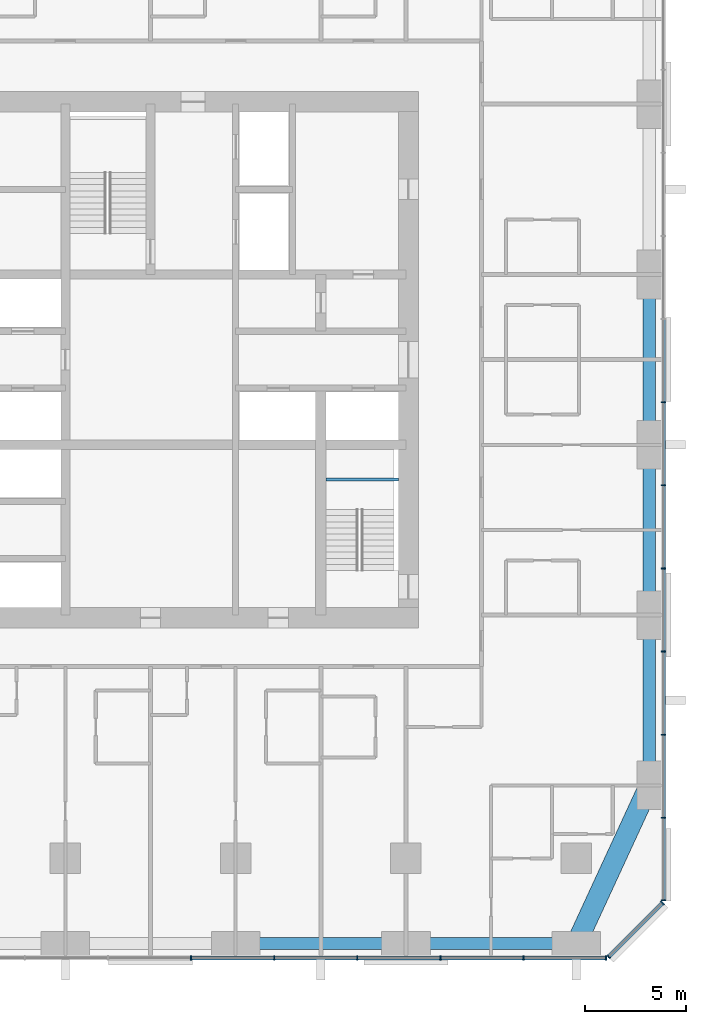
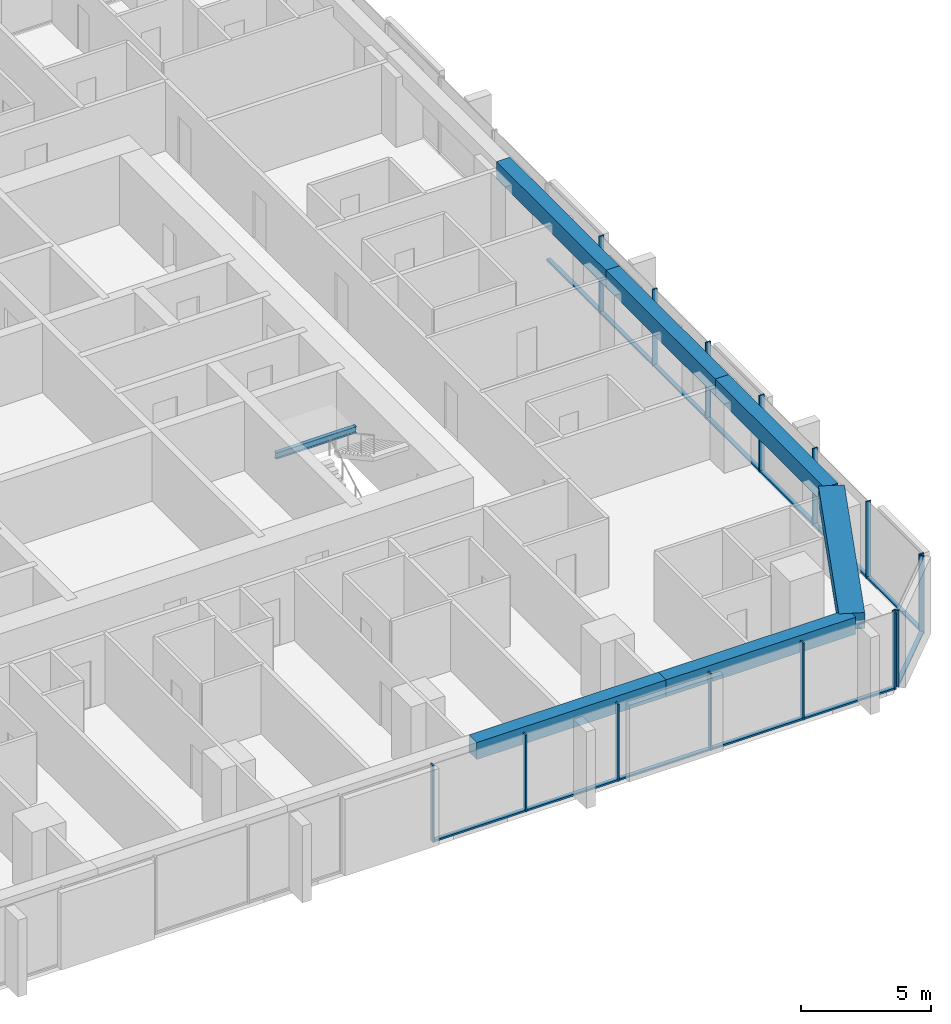
# One storey, part 4 of 14: 28 members, 7 beams, 3 elements without a shape of their own.
"""IFC4 building model written with IfcOpenShell, lengths in metres."""

from ifc_helpers import new_model, si_unit, direction, frame, origin, origin_2d, place, context, subcontext, project, spatial, rectangle, i_section, extrude, material, material_profile, profile_set, type_object, element, aggregate, save


model = new_model("IFC4")

# Units and contexts
model_context = context("Model", 3, precision=1e-05, world=origin(), true_north=direction((0.0, 1.0)))
body_context = subcontext(model_context, "Body", "Model", "MODEL_VIEW")
ifc_project = project(units=[si_unit("LENGTHUNIT", "METRE"), si_unit("AREAUNIT", "SQUARE_METRE"), si_unit("VOLUMEUNIT", "CUBIC_METRE"), si_unit("PLANEANGLEUNIT", "RADIAN"), si_unit("MASSUNIT", "GRAM", prefix="KILO")], contexts=[model_context])

# Site, building, storey
site_placement = place(None, origin())
site = spatial("IfcSite", under=ifc_project, at=site_placement, CompositionType="ELEMENT")
building_placement = place(site_placement, origin())
building = spatial("IfcBuilding", under=site, at=building_placement, Name="Dunama Terrace Hotel", CompositionType="ELEMENT")
storey_placement = place(building_placement, frame((0.0, 0.0, 133.199951171875)))
storey = spatial("IfcBuildingStorey", under=building, at=storey_placement, Name="L34", CompositionType="ELEMENT", Elevation=133.199951171875)

# Curtain wall, members
ifc_material_1 = material(Name="Aluminium curtain wall system", Category="aluminium")
curtain_wall_type = type_object("IfcCurtainWallType", Name="Unitised fritted glass wall CW-B", PredefinedType="NOTDEFINED", material=ifc_material_1)
curtain_wall_1_placement = place(storey_placement, origin())
curtain_wall_1 = element("IfcCurtainWall", 1, at=curtain_wall_1_placement, inside=storey, type_object=curtain_wall_type, Name="Unitised fritted glass wall CW-B L34", PredefinedType="NOTDEFINED")
ifc_material_2 = material(Name="Aluminium mullion", Category="aluminium")
ifc_material_profile_1 = material_profile(ifc_material_2, rectangle(XDim=0.06494140625, YDim=0.219970703125, at=origin_2d()), Name="CWB MULLION 65X220")
ifc_profile_set_1 = profile_set([ifc_material_profile_1], Name="Aluminium mullion")
member_type_1 = type_object("IfcMemberType", Name="CWB mullion 65x220", PredefinedType="MULLION", material=ifc_profile_set_1)
member_1_placement = place(storey_placement, frame((31.39990234375, -0.110107421875, 0.0), z_axis=(0.0, 0.0, 1.0), x_axis=(1.0, 0.0, 0.0)))
member_1 = element("IfcMember", 2, at=member_1_placement, type_object=member_type_1, Name="CWB mullion", PredefinedType="MULLION", context=body_context, shape_type="SweptSolid", body=[
    extrude(rectangle(XDim=0.06494140625, YDim=0.219970703125, at=origin_2d()), origin(), (0.0, 0.0, 1.0), 3.60009765625),
])
member_2_placement = place(storey_placement, frame((35.5, -0.110107421875, 0.0), z_axis=(0.0, 0.0, 1.0), x_axis=(1.0, 0.0, 0.0)))
member_2 = element("IfcMember", 3, at=member_2_placement, type_object=member_type_1, Name="CWB mullion", PredefinedType="MULLION", context=body_context, shape_type="SweptSolid", body=[
    extrude(rectangle(XDim=0.06494140625, YDim=0.219970703125, at=origin_2d()), origin(), (0.0, 0.0, 1.0), 3.60009765625),
])
member_3_placement = place(storey_placement, frame((39.60009765625, -0.110107421875, 0.0), z_axis=(0.0, 0.0, 1.0), x_axis=(1.0, 0.0, 0.0)))
member_3 = element("IfcMember", 4, at=member_3_placement, type_object=member_type_1, Name="CWB mullion", PredefinedType="MULLION", context=body_context, shape_type="SweptSolid", body=[
    extrude(rectangle(XDim=0.06494140625, YDim=0.219970703125, at=origin_2d()), origin(), (0.0, 0.0, 1.0), 3.60009765625),
])
member_4_placement = place(storey_placement, frame((43.699951171875, -0.110107421875, 0.0), z_axis=(0.0, 0.0, 1.0), x_axis=(1.0, 0.0, 0.0)))
member_4 = element("IfcMember", 5, at=member_4_placement, type_object=member_type_1, Name="CWB mullion", PredefinedType="MULLION", context=body_context, shape_type="SweptSolid", body=[
    extrude(rectangle(XDim=0.06494140625, YDim=0.219970703125, at=origin_2d()), origin(), (0.0, 0.0, 1.0), 3.60009765625),
])
member_5_placement = place(storey_placement, frame((47.800048828125, -0.110107421875, 0.0), z_axis=(0.0, 0.0, 1.0), x_axis=(1.0, 0.0, 0.0)))
member_5 = element("IfcMember", 6, at=member_5_placement, type_object=member_type_1, Name="CWB mullion", PredefinedType="MULLION", context=body_context, shape_type="SweptSolid", body=[
    extrude(rectangle(XDim=0.06494140625, YDim=0.219970703125, at=origin_2d()), origin(), (0.0, 0.0, 1.0), 3.60009765625),
])
member_6_placement = place(storey_placement, frame((51.866943359375, -0.110107421875, 0.0), z_axis=(0.0, 0.0, 1.0), x_axis=(1.0, 0.0, 0.0)))
member_6 = element("IfcMember", 7, at=member_6_placement, type_object=member_type_1, Name="CWB mullion", PredefinedType="MULLION", context=body_context, shape_type="SweptSolid", body=[
    extrude(rectangle(XDim=0.06494140625, YDim=0.219970703125, at=origin_2d()), origin(), (0.0, 0.0, 1.0), 3.60009765625),
])

curtain_wall_2_placement = place(storey_placement, origin())
curtain_wall_2 = element("IfcCurtainWall", 8, at=curtain_wall_2_placement, inside=storey, type_object=curtain_wall_type, Name="Unitised fritted glass wall CW-B L34", PredefinedType="NOTDEFINED")
member_7_placement = place(storey_placement, frame((52.0009765625, -0.054931640625, 0.0), z_axis=(0.0, 0.0, 1.0), x_axis=(0.707106781187, 0.707106781187, 0.0)))
member_7 = element("IfcMember", 9, at=member_7_placement, type_object=member_type_1, Name="CWB mullion", PredefinedType="MULLION", context=body_context, shape_type="SweptSolid", body=[
    extrude(rectangle(XDim=0.06494140625, YDim=0.219970703125, at=origin_2d()), origin(), (0.0, 0.0, 1.0), 3.60009765625),
])
member_8_placement = place(storey_placement, frame((54.655029296875, 2.59912109375, 0.0), z_axis=(0.0, 0.0, 1.0), x_axis=(0.707106781187, 0.707106781187, 0.0)))
member_8 = element("IfcMember", 10, at=member_8_placement, type_object=member_type_1, Name="CWB mullion", PredefinedType="MULLION", context=body_context, shape_type="SweptSolid", body=[
    extrude(rectangle(XDim=0.06494140625, YDim=0.219970703125, at=origin_2d()), origin(), (0.0, 0.0, 1.0), 3.60009765625),
])

curtain_wall_3_placement = place(storey_placement, origin())
curtain_wall_3 = element("IfcCurtainWall", 11, at=curtain_wall_3_placement, inside=storey, type_object=curtain_wall_type, Name="Unitised fritted glass wall CW-B L34", PredefinedType="NOTDEFINED")
member_9_placement = place(storey_placement, frame((54.7099609375, 2.73291015625, 0.0), z_axis=(0.0, 0.0, 1.0), x_axis=(0.0, 1.0, 0.0)))
member_9 = element("IfcMember", 12, at=member_9_placement, type_object=member_type_1, Name="CWB mullion", PredefinedType="MULLION", context=body_context, shape_type="SweptSolid", body=[
    extrude(rectangle(XDim=0.06494140625, YDim=0.219970703125, at=origin_2d()), origin(), (0.0, 0.0, 1.0), 3.60009765625),
])
member_10_placement = place(storey_placement, frame((54.7099609375, 6.800048828125, 0.0), z_axis=(0.0, 0.0, 1.0), x_axis=(0.0, 1.0, 0.0)))
member_10 = element("IfcMember", 13, at=member_10_placement, type_object=member_type_1, Name="CWB mullion", PredefinedType="MULLION", context=body_context, shape_type="SweptSolid", body=[
    extrude(rectangle(XDim=0.06494140625, YDim=0.219970703125, at=origin_2d()), origin(), (0.0, 0.0, 1.0), 3.60009765625),
])
member_11_placement = place(storey_placement, frame((54.7099609375, 10.89990234375, 0.0), z_axis=(0.0, 0.0, 1.0), x_axis=(0.0, 1.0, 0.0)))
member_11 = element("IfcMember", 14, at=member_11_placement, type_object=member_type_1, Name="CWB mullion", PredefinedType="MULLION", context=body_context, shape_type="SweptSolid", body=[
    extrude(rectangle(XDim=0.06494140625, YDim=0.219970703125, at=origin_2d()), origin(), (0.0, 0.0, 1.0), 3.60009765625),
])
member_12_placement = place(storey_placement, frame((54.7099609375, 15.0, 0.0), z_axis=(0.0, 0.0, 1.0), x_axis=(0.0, 1.0, 0.0)))
member_12 = element("IfcMember", 15, at=member_12_placement, type_object=member_type_1, Name="CWB mullion", PredefinedType="MULLION", context=body_context, shape_type="SweptSolid", body=[
    extrude(rectangle(XDim=0.06494140625, YDim=0.219970703125, at=origin_2d()), origin(), (0.0, 0.0, 1.0), 3.60009765625),
])
member_13_placement = place(storey_placement, frame((54.7099609375, 19.10009765625, 0.0), z_axis=(0.0, 0.0, 1.0), x_axis=(0.0, 1.0, 0.0)))
member_13 = element("IfcMember", 16, at=member_13_placement, type_object=member_type_1, Name="CWB mullion", PredefinedType="MULLION", context=body_context, shape_type="SweptSolid", body=[
    extrude(rectangle(XDim=0.06494140625, YDim=0.219970703125, at=origin_2d()), origin(), (0.0, 0.0, 1.0), 3.60009765625),
])
member_14_placement = place(storey_placement, frame((54.7099609375, 23.199951171875, 0.0), z_axis=(0.0, 0.0, 1.0), x_axis=(0.0, 1.0, 0.0)))
member_14 = element("IfcMember", 17, at=member_14_placement, type_object=member_type_1, Name="CWB mullion", PredefinedType="MULLION", context=body_context, shape_type="SweptSolid", body=[
    extrude(rectangle(XDim=0.06494140625, YDim=0.219970703125, at=origin_2d()), origin(), (0.0, 0.0, 1.0), 3.60009765625),
])
member_15_placement = place(storey_placement, frame((54.7099609375, 27.300048828125, 0.0), z_axis=(0.0, 0.0, 1.0), x_axis=(0.0, 1.0, 0.0)))
member_15 = element("IfcMember", 18, at=member_15_placement, type_object=member_type_1, Name="CWB mullion", PredefinedType="MULLION", context=body_context, shape_type="SweptSolid", body=[
    extrude(rectangle(XDim=0.06494140625, YDim=0.219970703125, at=origin_2d()), origin(), (0.0, 0.0, 1.0), 3.60009765625),
])

# Member
ifc_material_3 = material(Name="Aluminium transom", Category="aluminium")
ifc_material_profile_2 = material_profile(ifc_material_3, rectangle(XDim=0.179931640625, YDim=0.080078125, at=origin_2d()), Name="CWB TRANSOM 180X80")
ifc_profile_set_2 = profile_set([ifc_material_profile_2], Name="Aluminium transom")
member_type_2 = type_object("IfcMemberType", Name="CWB transom 180x80", PredefinedType="USERDEFINED", material=ifc_profile_set_2)
member_16_placement = place(storey_placement, frame((31.431884765625, -0.110107421875, 0.0400390625), z_axis=(1.0, 0.0, 0.0), x_axis=(0.0, 1.0, 0.0)))
member_16 = element("IfcMember", 19, at=member_16_placement, type_object=member_type_2, Name="CWB transom", ObjectType="TRANSOM", PredefinedType="USERDEFINED", context=body_context, shape_type="SweptSolid", body=[
    extrude(rectangle(XDim=0.179931640625, YDim=0.080078125, at=origin_2d()), origin(), (0.0, 0.0, 1.0), 4.0361328125),
])

member_17_placement = place(storey_placement, frame((35.531982421875, -0.110107421875, 0.0400390625), z_axis=(1.0, 0.0, 0.0), x_axis=(0.0, 1.0, 0.0)))
member_17 = element("IfcMember", 20, at=member_17_placement, type_object=member_type_2, Name="CWB transom", ObjectType="TRANSOM", PredefinedType="USERDEFINED", context=body_context, shape_type="SweptSolid", body=[
    extrude(rectangle(XDim=0.179931640625, YDim=0.080078125, at=origin_2d()), origin(), (0.0, 0.0, 1.0), 4.0361328125),
])

member_18_placement = place(storey_placement, frame((39.633056640625, -0.110107421875, 0.0400390625), z_axis=(1.0, 0.0, 0.0), x_axis=(0.0, 1.0, 0.0)))
member_18 = element("IfcMember", 21, at=member_18_placement, type_object=member_type_2, Name="CWB transom", ObjectType="TRANSOM", PredefinedType="USERDEFINED", context=body_context, shape_type="SweptSolid", body=[
    extrude(rectangle(XDim=0.179931640625, YDim=0.080078125, at=origin_2d()), origin(), (0.0, 0.0, 1.0), 4.034912109375),
])

member_19_placement = place(storey_placement, frame((43.73291015625, -0.110107421875, 0.0400390625), z_axis=(1.0, 0.0, 0.0), x_axis=(0.0, 1.0, 0.0)))
member_19 = element("IfcMember", 22, at=member_19_placement, type_object=member_type_2, Name="CWB transom", ObjectType="TRANSOM", PredefinedType="USERDEFINED", context=body_context, shape_type="SweptSolid", body=[
    extrude(rectangle(XDim=0.179931640625, YDim=0.080078125, at=origin_2d()), origin(), (0.0, 0.0, 1.0), 4.0341796875),
])

member_20_placement = place(storey_placement, frame((47.83203125, -0.110107421875, 0.0400390625), z_axis=(1.0, 0.0, 0.0), x_axis=(0.0, 1.0, 0.0)))
member_20 = element("IfcMember", 23, at=member_20_placement, type_object=member_type_2, Name="CWB transom", ObjectType="TRANSOM", PredefinedType="USERDEFINED", context=body_context, shape_type="SweptSolid", body=[
    extrude(rectangle(XDim=0.179931640625, YDim=0.080078125, at=origin_2d()), origin(), (0.0, 0.0, 1.0), 4.0029296875),
])

aggregate(curtain_wall_1, [member_1, member_2, member_3, member_4, member_5, member_6, member_16, member_17, member_18, member_19, member_20])

member_21_placement = place(storey_placement, frame((52.02392578125, -0.031982421875, 0.0400390625), z_axis=(0.707139876915, 0.707073683909, 0.0), x_axis=(-0.707073683909, 0.707139876915, 0.0)))
member_21 = element("IfcMember", 24, at=member_21_placement, type_object=member_type_2, Name="CWB transom", ObjectType="TRANSOM", PredefinedType="USERDEFINED", context=body_context, shape_type="SweptSolid", body=[
    extrude(rectangle(XDim=0.179931640625, YDim=0.080078125, at=origin_2d()), origin(), (0.0, 0.0, 1.0), 3.688232421875),
])

aggregate(curtain_wall_2, [member_7, member_8, member_21])

member_22_placement = place(storey_placement, frame((54.7099609375, 2.764892578125, 0.0400390625), z_axis=(0.0, 1.0, 0.0), x_axis=(-1.0, 0.0, 0.0)))
member_22 = element("IfcMember", 25, at=member_22_placement, type_object=member_type_2, Name="CWB transom", ObjectType="TRANSOM", PredefinedType="USERDEFINED", context=body_context, shape_type="SweptSolid", body=[
    extrude(rectangle(XDim=0.179931640625, YDim=0.080078125, at=origin_2d()), origin(), (0.0, 0.0, 1.0), 4.003173828125),
])

member_23_placement = place(storey_placement, frame((54.7099609375, 6.83203125, 0.0400390625), z_axis=(0.0, 1.0, 0.0), x_axis=(-1.0, 0.0, 0.0)))
member_23 = element("IfcMember", 26, at=member_23_placement, type_object=member_type_2, Name="CWB transom", ObjectType="TRANSOM", PredefinedType="USERDEFINED", context=body_context, shape_type="SweptSolid", body=[
    extrude(rectangle(XDim=0.179931640625, YDim=0.080078125, at=origin_2d()), origin(), (0.0, 0.0, 1.0), 4.034912109375),
])

member_24_placement = place(storey_placement, frame((54.7099609375, 10.93310546875, 0.0400390625), z_axis=(0.0, 1.0, 0.0), x_axis=(-1.0, 0.0, 0.0)))
member_24 = element("IfcMember", 27, at=member_24_placement, type_object=member_type_2, Name="CWB transom", ObjectType="TRANSOM", PredefinedType="USERDEFINED", context=body_context, shape_type="SweptSolid", body=[
    extrude(rectangle(XDim=0.179931640625, YDim=0.080078125, at=origin_2d()), origin(), (0.0, 0.0, 1.0), 4.033935546875),
])

member_25_placement = place(storey_placement, frame((54.7099609375, 15.031982421875, 0.0400390625), z_axis=(0.0, 1.0, 0.0), x_axis=(-1.0, 0.0, 0.0)))
member_25 = element("IfcMember", 28, at=member_25_placement, type_object=member_type_2, Name="CWB transom", ObjectType="TRANSOM", PredefinedType="USERDEFINED", context=body_context, shape_type="SweptSolid", body=[
    extrude(rectangle(XDim=0.179931640625, YDim=0.080078125, at=origin_2d()), origin(), (0.0, 0.0, 1.0), 4.034912109375),
])

member_26_placement = place(storey_placement, frame((54.7099609375, 19.132080078125, 0.0400390625), z_axis=(0.0, 1.0, 0.0), x_axis=(-1.0, 0.0, 0.0)))
member_26 = element("IfcMember", 29, at=member_26_placement, type_object=member_type_2, Name="CWB transom", ObjectType="TRANSOM", PredefinedType="USERDEFINED", context=body_context, shape_type="SweptSolid", body=[
    extrude(rectangle(XDim=0.179931640625, YDim=0.080078125, at=origin_2d()), origin(), (0.0, 0.0, 1.0), 4.035888671875),
])

member_27_placement = place(storey_placement, frame((54.7099609375, 23.23193359375, 0.0400390625), z_axis=(0.0, 1.0, 0.0), x_axis=(-1.0, 0.0, 0.0)))
member_27 = element("IfcMember", 30, at=member_27_placement, type_object=member_type_2, Name="CWB transom", ObjectType="TRANSOM", PredefinedType="USERDEFINED", context=body_context, shape_type="SweptSolid", body=[
    extrude(rectangle(XDim=0.179931640625, YDim=0.080078125, at=origin_2d()), origin(), (0.0, 0.0, 1.0), 4.03515625),
])

member_28_placement = place(storey_placement, frame((54.7099609375, 27.33203125, 0.0400390625), z_axis=(0.0, 1.0, 0.0), x_axis=(-1.0, 0.0, 0.0)))
member_28 = element("IfcMember", 31, at=member_28_placement, type_object=member_type_2, Name="CWB transom", ObjectType="TRANSOM", PredefinedType="USERDEFINED", context=body_context, shape_type="SweptSolid", body=[
    extrude(rectangle(XDim=0.179931640625, YDim=0.080078125, at=origin_2d()), origin(), (0.0, 0.0, 1.0), 4.034912109375),
])

aggregate(curtain_wall_3, [member_9, member_10, member_11, member_12, member_13, member_14, member_15, member_22, member_23, member_24, member_25, member_26, member_27, member_28])

# Beams
ifc_material_4 = material(Name="Concrete C50/60", Category="concrete")
ifc_material_profile_3 = material_profile(ifc_material_4, rectangle(XDim=1.0, YDim=0.75, at=origin_2d()), Name="RC 1000x750")
ifc_profile_set_3 = profile_set([ifc_material_profile_3], Name="Concrete C50/60")
beam_type_1 = type_object("IfcBeamType", Name="Edge beam RC 1000x750", PredefinedType="SPANDREL", material=ifc_profile_set_3)
beam_1_placement = place(storey_placement, frame((50.39990234375, 0.60009765625, 3.22509765625), z_axis=(0.419076199598, 0.907951066374, 0.0), x_axis=(-0.907951066374, 0.419076199598, 0.0)))
element("IfcBeam", 32, at=beam_1_placement, inside=storey, type_object=beam_type_1, Name="Corner edge beam under L35", PredefinedType="SPANDREL", context=body_context, shape_type="SweptSolid", body=[
    extrude(rectangle(XDim=1.0, YDim=0.75, at=origin_2d()), origin(), (0.0, 0.0, 1.0), 8.590576171875),
])
ifc_material_5 = material(Name="Concrete C40/50", Category="concrete")
ifc_material_profile_4 = material_profile(ifc_material_5, rectangle(XDim=0.60009765625, YDim=0.800048828125, at=origin_2d()), Name="RC 600x800")
ifc_profile_set_4 = profile_set([ifc_material_profile_4], Name="Concrete C40/50")
beam_type_2 = type_object("IfcBeamType", Name="Edge beam RC 600x800", PredefinedType="SPANDREL", material=ifc_profile_set_4)
beam_2_placement = place(storey_placement, frame((54.0, 8.39990234375, 3.199951171875), z_axis=(0.0, 1.0, 0.0), x_axis=(-1.0, 0.0, 0.0)))
element("IfcBeam", 33, at=beam_2_placement, inside=storey, type_object=beam_type_2, Name="Edge beam under L35", PredefinedType="SPANDREL", context=body_context, shape_type="SweptSolid", body=[
    extrude(rectangle(XDim=0.60009765625, YDim=0.800048828125, at=origin_2d()), origin(), (0.0, 0.0, 1.0), 8.400146484375),
])
beam_3_placement = place(storey_placement, frame((54.0, 16.800048828125, 3.199951171875), z_axis=(0.0, 1.0, 0.0), x_axis=(-1.0, 0.0, 0.0)))
element("IfcBeam", 34, at=beam_3_placement, inside=storey, type_object=beam_type_2, Name="Edge beam under L35", PredefinedType="SPANDREL", context=body_context, shape_type="SweptSolid", body=[
    extrude(rectangle(XDim=0.60009765625, YDim=0.800048828125, at=origin_2d()), origin(), (0.0, 0.0, 1.0), 8.39990234375),
])
beam_4_placement = place(storey_placement, frame((54.0, 25.199951171875, 3.199951171875), z_axis=(0.0, 1.0, 0.0), x_axis=(-1.0, 0.0, 0.0)))
element("IfcBeam", 35, at=beam_4_placement, inside=storey, type_object=beam_type_2, Name="Edge beam under L35", PredefinedType="SPANDREL", context=body_context, shape_type="SweptSolid", body=[
    extrude(rectangle(XDim=0.60009765625, YDim=0.800048828125, at=origin_2d()), origin(), (0.0, 0.0, 1.0), 8.400146484375),
])
for number, where, z_axis, x_axis, name in (
    (36, (33.60009765625, 0.60009765625, 3.199951171875), (1.0, 0.0, 0.0), (0.0, 1.0, 0.0), "Edge beam under L35"),
    (37, (42.0, 0.60009765625, 3.199951171875), (1.0, 0.0, 0.0), (0.0, 1.0, 0.0), "Edge beam under L35"),
):
    element("IfcBeam", number, at=place(storey_placement, frame(where, z_axis=z_axis, x_axis=x_axis)), inside=storey, type_object=beam_type_2, Name=name, PredefinedType="SPANDREL", context=body_context, shape_type="SweptSolid", body=[
        extrude(rectangle(XDim=0.60009765625, YDim=0.800048828125, at=origin_2d()), origin(), (0.0, 0.0, 1.0), 8.39990234375),
    ])
ifc_material_6 = material(Name="Steel S355", Category="steel")
ifc_material_profile_5 = material_profile(ifc_material_6, i_section(OverallWidth=0.1650390625, OverallDepth=0.303466796875, WebThickness=0.006103515625, FlangeThickness=0.01025390625, FilletRadius=0.0087890625, at=origin_2d()), Name="UB 305x165x40")
ifc_profile_set_5 = profile_set([ifc_material_profile_5], Name="Steel S355")
beam_type_3 = type_object("IfcBeamType", Name="Stair beam UB 305x165x40", PredefinedType="BEAM", material=ifc_profile_set_5)
beam_5_placement = place(storey_placement, frame((38.050048828125, 23.487548828125, 1.4482421875), z_axis=(1.0, 0.0, 0.0), x_axis=(0.0, 1.0, 0.0)))
element("IfcBeam", 38, at=beam_5_placement, inside=storey, type_object=beam_type_3, Name="Stair landing beam ST2 L34", PredefinedType="BEAM", context=body_context, shape_type="SweptSolid", body=[
    extrude(i_section(OverallWidth=0.1650390625, OverallDepth=0.303466796875, WebThickness=0.006103515625, FlangeThickness=0.01025390625, FilletRadius=0.0087890625, at=origin_2d()), origin(), (0.0, 0.0, 1.0), 3.574951171875),
])

save(model, "model.ifc")
